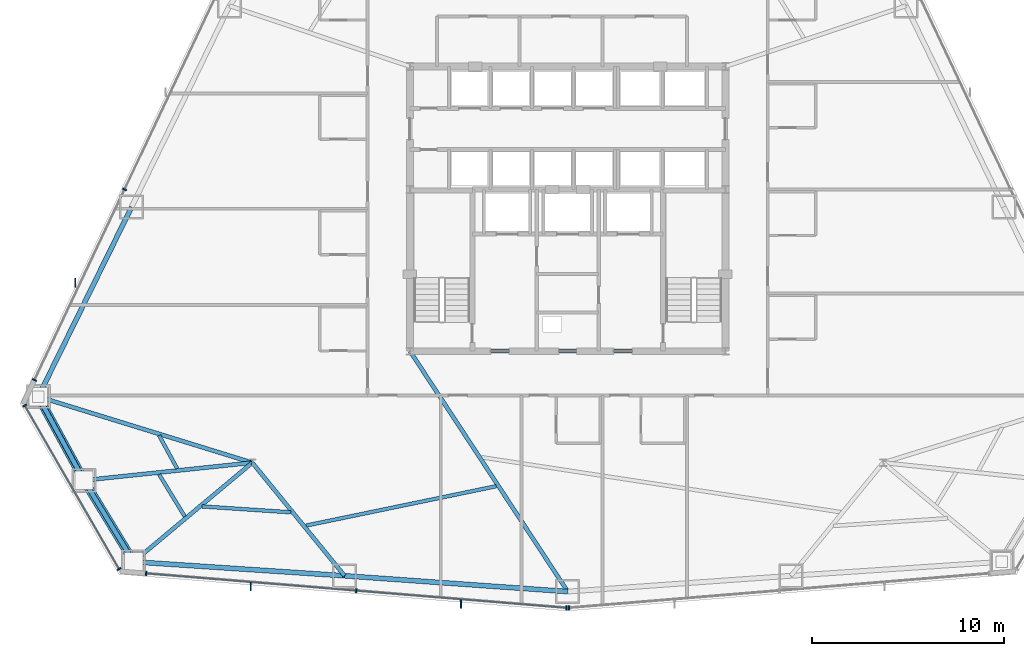
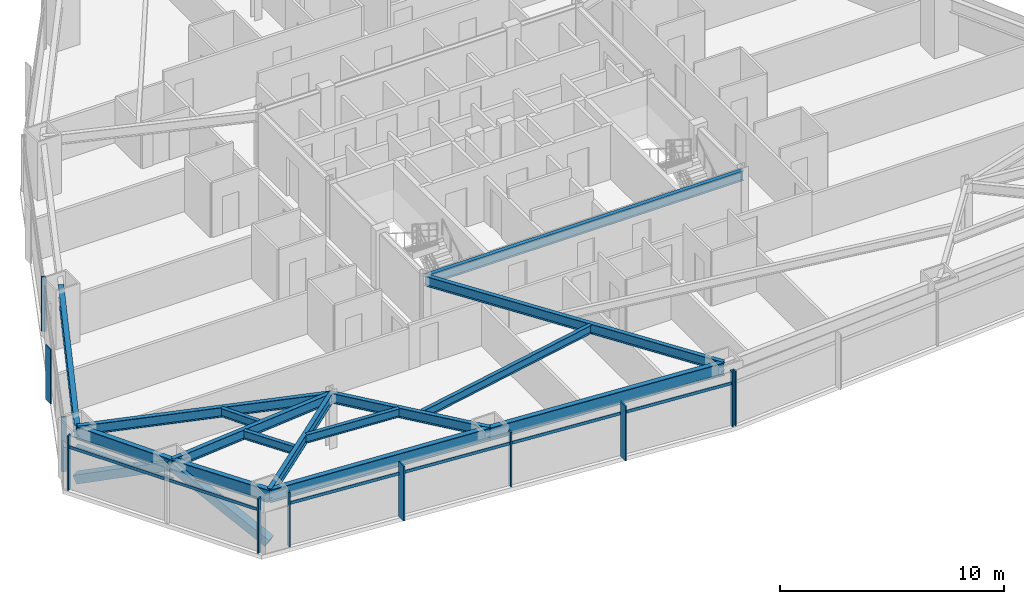
# One storey, part 4 of 13: 16 members, 15 beams, 4 elements without a shape of their own.
"""IFC4 building model written with IfcOpenShell, lengths in metres."""

from ifc_helpers import new_model, si_unit, direction, frame, origin, origin_2d, place, context, subcontext, project, spatial, rectangle, hollow_rectangle, hollow_circle, i_section, extrude, source, transform, mapped, material, layer, layer_set, material_profile, profile_set, type_object, type_shapes, element, aggregate, save


model = new_model("IFC4")

# Units and contexts
model_context = context("Model", 3, precision=1e-05, world=origin(), true_north=direction((0.0, 1.0)))
body_context = subcontext(model_context, "Body", "Model", "MODEL_VIEW")
ifc_project = project(units=[si_unit("LENGTHUNIT", "METRE"), si_unit("AREAUNIT", "SQUARE_METRE"), si_unit("VOLUMEUNIT", "CUBIC_METRE"), si_unit("PLANEANGLEUNIT", "RADIAN"), si_unit("MASSUNIT", "GRAM", prefix="KILO")], contexts=[model_context])

# Site, building, storey
site_placement = place(None, origin())
site = spatial("IfcSite", under=ifc_project, at=site_placement, CompositionType="ELEMENT")
building_placement = place(site_placement, origin())
building = spatial("IfcBuilding", under=site, at=building_placement, Name="Varakhsha Concourse Tower", CompositionType="ELEMENT")
storey_placement = place(building_placement, frame((0.0, 0.0, 46.39990234375)))
storey = spatial("IfcBuildingStorey", under=building, at=storey_placement, Name="L12", CompositionType="ELEMENT", Elevation=46.39990234375)

# Beams
ifc_material_1 = material(Name="Structural Steel ASTM A992 Grade 50", Category="steel")
ifc_material_profile_1 = material_profile(ifc_material_1, i_section(OverallWidth=0.19091796875, OverallDepth=0.45703125, WebThickness=0.009033203125, FlangeThickness=0.013916015625, at=origin_2d()), Name="W18X50")
ifc_profile_set_1 = profile_set([ifc_material_profile_1], Name="Structural Steel ASTM A992 Grade 50")
beam_type_1 = type_object("IfcBeamType", Name="BM-JST-W18X50", PredefinedType="JOIST", material=ifc_profile_set_1)
beam_1_placement = place(storey_placement, frame((18.75830078125, 12.01416015625, 2.751708984375), z_axis=(0.479375204498, -0.877610057664, 0.0), x_axis=(0.877610057664, 0.479375204498, 0.0)))
element("IfcBeam", 1, at=beam_1_placement, inside=storey, type_object=beam_type_1, Name="BM-TJST-L12-07", PredefinedType="JOIST", context=body_context, shape_type="SweptSolid", body=[
    extrude(i_section(OverallWidth=0.19091796875, OverallDepth=0.45703125, WebThickness=0.009033203125, FlangeThickness=0.013916015625, at=origin_2d()), origin(), (0.0, 0.0, 1.0), 1.961669921875),
])
beam_2_placement = place(storey_placement, frame((18.759033203125, 9.99169921875, 2.751708984375), z_axis=(0.520352766651, -0.853951402738, 0.0), x_axis=(0.853951402738, 0.520352766651, 0.0)))
element("IfcBeam", 2, at=beam_2_placement, inside=storey, type_object=beam_type_1, Name="BM-TJST-L12-08", PredefinedType="JOIST", context=body_context, shape_type="SweptSolid", body=[
    extrude(i_section(OverallWidth=0.19091796875, OverallDepth=0.45703125, WebThickness=0.009033203125, FlangeThickness=0.013916015625, at=origin_2d()), origin(), (0.0, 0.0, 1.0), 2.55712890625),
])
beam_3_placement = place(storey_placement, frame((20.99658203125, 8.3251953125, 2.751708984375), z_axis=(0.997818733044, -0.066013453077, 0.0), x_axis=(0.066013453077, 0.997818733044, 0.0)))
element("IfcBeam", 3, at=beam_3_placement, inside=storey, type_object=beam_type_1, Name="BM-TJST-L12-09", PredefinedType="JOIST", context=body_context, shape_type="SweptSolid", body=[
    extrude(i_section(OverallWidth=0.19091796875, OverallDepth=0.45703125, WebThickness=0.009033203125, FlangeThickness=0.013916015625, at=origin_2d()), origin(), (0.0, 0.0, 1.0), 4.615478515625),
])
beam_4_placement = place(storey_placement, frame((26.3955078125, 7.329833984375, 2.751708984375), z_axis=(0.97923229182, 0.202741506992, 0.0), x_axis=(-0.202741506992, 0.97923229182, 0.0)))
element("IfcBeam", 4, at=beam_4_placement, inside=storey, type_object=beam_type_1, Name="BM-TJST-L12-10", PredefinedType="JOIST", context=body_context, shape_type="SweptSolid", body=[
    extrude(i_section(OverallWidth=0.19091796875, OverallDepth=0.45703125, WebThickness=0.009033203125, FlangeThickness=0.013916015625, at=origin_2d()), origin(), (0.0, 0.0, 1.0), 10.098388671875),
])
ifc_material_profile_2 = material_profile(ifc_material_1, i_section(OverallWidth=0.2109375, OverallDepth=0.5390625, WebThickness=0.011962890625, FlangeThickness=0.01904296875, at=origin_2d()), Name="W21X73")
ifc_profile_set_2 = profile_set([ifc_material_profile_2], Name="Structural Steel ASTM A992 Grade 50")
beam_type_2 = type_object("IfcBeamType", Name="BM-RAD-W21X73", PredefinedType="BEAM", material=ifc_profile_set_2)
beam_5_placement = place(storey_placement, frame((31.800048828125, 16.39990234375, 2.710693359375), z_axis=(1.0, 0.0, 0.0), x_axis=(0.0, 1.0, 0.0)))
element("IfcBeam", 5, at=beam_5_placement, inside=storey, type_object=beam_type_2, Name="BM-TCORE-L12-CS", PredefinedType="BEAM", context=body_context, shape_type="SweptSolid", body=[
    extrude(i_section(OverallWidth=0.2109375, OverallDepth=0.5390625, WebThickness=0.011962890625, FlangeThickness=0.01904296875, at=origin_2d()), origin(), (0.0, 0.0, 1.0), 16.39990234375),
])
beam_6_placement = place(storey_placement, frame((23.60009765625, 10.60009765625, 2.710693359375), z_axis=(-0.955523369022, 0.294915396773, 0.0), x_axis=(-0.294915396773, -0.955523369022, 0.0)))
element("IfcBeam", 6, at=beam_6_placement, inside=storey, type_object=beam_type_2, Name="L12 Radial Floor Girder 07", PredefinedType="BEAM", context=body_context, shape_type="SweptSolid", body=[
    extrude(i_section(OverallWidth=0.2109375, OverallDepth=0.5390625, WebThickness=0.011962890625, FlangeThickness=0.01904296875, at=origin_2d()), origin(), (0.0, 0.0, 1.0), 11.641845703125),
])
beam_7_placement = place(storey_placement, frame((23.60009765625, 10.60009765625, 2.710693359375), z_axis=(-0.994529307573, -0.104457916778, 0.0), x_axis=(0.104457916778, -0.994529307573, 0.0)))
element("IfcBeam", 7, at=beam_7_placement, inside=storey, type_object=beam_type_2, Name="L12 Radial Floor Girder 08", PredefinedType="BEAM", context=body_context, shape_type="SweptSolid", body=[
    extrude(i_section(OverallWidth=0.2109375, OverallDepth=0.5390625, WebThickness=0.011962890625, FlangeThickness=0.01904296875, at=origin_2d()), origin(), (0.0, 0.0, 1.0), 8.794921875),
])
beam_8_placement = place(storey_placement, frame((23.60009765625, 10.60009765625, 2.710693359375), z_axis=(-0.767329066502, -0.641253540887, 0.0), x_axis=(0.641253540887, -0.767329066502, 0.0)))
element("IfcBeam", 8, at=beam_8_placement, inside=storey, type_object=beam_type_2, Name="L12 Radial Floor Girder 09", PredefinedType="BEAM", context=body_context, shape_type="SweptSolid", body=[
    extrude(i_section(OverallWidth=0.2109375, OverallDepth=0.5390625, WebThickness=0.011962890625, FlangeThickness=0.01904296875, at=origin_2d()), origin(), (0.0, 0.0, 1.0), 8.036376953125),
])
beam_9_placement = place(storey_placement, frame((23.60009765625, 10.60009765625, 2.710693359375), z_axis=(0.632361519262, -0.77467342084, 0.0), x_axis=(0.77467342084, 0.632361519262, 0.0)))
element("IfcBeam", 9, at=beam_9_placement, inside=storey, type_object=beam_type_2, Name="L12 Radial Floor Girder 10", PredefinedType="BEAM", context=body_context, shape_type="SweptSolid", body=[
    extrude(i_section(OverallWidth=0.2109375, OverallDepth=0.5390625, WebThickness=0.011962890625, FlangeThickness=0.01904296875, at=origin_2d()), origin(), (0.0, 0.0, 1.0), 7.589599609375),
])
beam_10_placement = place(storey_placement, frame((31.800048828125, 16.39990234375, 2.710693359375), z_axis=(0.548485569456, -0.836160020629, 0.0), x_axis=(0.836160020629, 0.548485569456, 0.0)))
element("IfcBeam", 10, at=beam_10_placement, inside=storey, type_object=beam_type_2, Name="L12 Radial Floor Girder 11", PredefinedType="BEAM", context=body_context, shape_type="SweptSolid", body=[
    extrude(i_section(OverallWidth=0.2109375, OverallDepth=0.5390625, WebThickness=0.011962890625, FlangeThickness=0.01904296875, at=origin_2d()), origin(), (0.0, 0.0, 1.0), 14.9501953125),
])
ifc_material_profile_3 = material_profile(ifc_material_1, i_section(OverallWidth=0.25390625, OverallDepth=0.701904296875, WebThickness=0.014892578125, FlangeThickness=0.028076171875, at=origin_2d()), Name="W27X129")
ifc_profile_set_3 = profile_set([ifc_material_profile_3], Name="Structural Steel ASTM A992 Grade 50")
beam_type_3 = type_object("IfcBeamType", Name="BM-SPAN-W27X129", PredefinedType="SPANDREL", material=ifc_profile_set_3)
beam_11_placement = place(storey_placement, frame((17.330078125, 23.893310546875, 2.629150390625), z_axis=(-0.441677973031, -0.897173655509, 0.0), x_axis=(0.897173655509, -0.441677973031, 0.0)))
element("IfcBeam", 11, at=beam_11_placement, inside=storey, type_object=beam_type_3, Name="BM-SPAN-L12-06", PredefinedType="SPANDREL", context=body_context, shape_type="SweptSolid", body=[
    extrude(i_section(OverallWidth=0.25390625, OverallDepth=0.701904296875, WebThickness=0.014892578125, FlangeThickness=0.028076171875, at=origin_2d()), origin(), (0.0, 0.0, 1.0), 10.989990234375),
])
beam_12_placement = place(storey_placement, frame((12.47607421875, 14.033447265625, 2.629150390625), z_axis=(0.479372903145, -0.877611314723, 0.0), x_axis=(0.877611314723, 0.479372903145, 0.0)))
element("IfcBeam", 12, at=beam_12_placement, inside=storey, type_object=beam_type_3, Name="BM-SPAN-L12-07", PredefinedType="SPANDREL", context=body_context, shape_type="SweptSolid", body=[
    extrude(i_section(OverallWidth=0.25390625, OverallDepth=0.701904296875, WebThickness=0.014892578125, FlangeThickness=0.028076171875, at=origin_2d()), origin(), (0.0, 0.0, 1.0), 4.958984375),
])
beam_13_placement = place(storey_placement, frame((14.853271484375, 9.681396484375, 2.629150390625), z_axis=(0.520348294869, -0.85395412759, 0.0), x_axis=(0.85395412759, 0.520348294869, 0.0)))
element("IfcBeam", 13, at=beam_13_placement, inside=storey, type_object=beam_type_3, Name="BM-SPAN-L12-08", PredefinedType="SPANDREL", context=body_context, shape_type="SweptSolid", body=[
    extrude(i_section(OverallWidth=0.25390625, OverallDepth=0.701904296875, WebThickness=0.014892578125, FlangeThickness=0.028076171875, at=origin_2d()), origin(), (0.0, 0.0, 1.0), 4.958740234375),
])
beam_14_placement = place(storey_placement, frame((17.43359375, 5.44677734375, 2.629150390625), z_axis=(0.997815134751, -0.06606782017, 0.0), x_axis=(0.06606782017, 0.997815134751, 0.0)))
element("IfcBeam", 14, at=beam_14_placement, inside=storey, type_object=beam_type_3, Name="BM-SPAN-L12-09", PredefinedType="SPANDREL", context=body_context, shape_type="SweptSolid", body=[
    extrude(i_section(OverallWidth=0.25390625, OverallDepth=0.701904296875, WebThickness=0.014892578125, FlangeThickness=0.028076171875, at=origin_2d()), origin(), (0.0, 0.0, 1.0), 10.98974609375),
])
beam_15_placement = place(storey_placement, frame((28.3994140625, 4.720703125, 2.629150390625), z_axis=(0.997501780615, -0.070641331168, 0.0), x_axis=(0.070641331168, 0.997501780615, 0.0)))
element("IfcBeam", 15, at=beam_15_placement, inside=storey, type_object=beam_type_3, Name="BM-SPAN-L12-10", PredefinedType="SPANDREL", context=body_context, shape_type="SweptSolid", body=[
    extrude(i_section(OverallWidth=0.25390625, OverallDepth=0.701904296875, WebThickness=0.014892578125, FlangeThickness=0.028076171875, at=origin_2d()), origin(), (0.0, 0.0, 1.0), 11.629638671875),
])

# Members
ifc_material_2 = material(Name="Structural Steel ASTM A500 Grade C", Category="steel")
ifc_material_profile_4 = material_profile(ifc_material_2, hollow_rectangle(XDim=0.449951171875, YDim=0.449951171875, WallThickness=0.01904296875, at=origin_2d()), Name="HSS 450x450x19")
ifc_profile_set_4 = profile_set([ifc_material_profile_4], Name="Structural Steel ASTM A500 Grade C")
member_type_1 = type_object("IfcMemberType", Name="MB-TUBE-HSS450", PredefinedType="BRACE", material=ifc_profile_set_4)
shared_shape_1 = source(origin(), body_context, "Body", "SweptSolid", [
    extrude(hollow_rectangle(XDim=0.449951171875, YDim=0.449951171875, WallThickness=0.01904296875, at=origin_2d()), origin(), (0.0, 0.0, 1.0), 5.580810546875),
])
member_1_placement = place(storey_placement, frame((12.47607421875, 14.033447265625, 0.1201171875), z_axis=(0.425960053824, -0.77982581077, 0.458726211811), x_axis=(0.877611314723, 0.479372903145, 0.0)))
element("IfcMember", 16, at=member_1_placement, inside=storey, type_object=member_type_1, Name="L12 Wind-Corner Tube Brace B03", PredefinedType="BRACE", context=body_context, shape_type="MappedRepresentation", body=[
    mapped(shared_shape_1, transform((0.0, 0.0, 0.0), scale=1.0)),
])
shared_shape_2 = source(origin(), body_context, "Body", "SweptSolid", [
    extrude(hollow_rectangle(XDim=0.449951171875, YDim=0.449951171875, WallThickness=0.01904296875, at=origin_2d()), origin(), (0.0, 0.0, 1.0), 5.58056640625),
])
type_shapes(member_type_1, [shared_shape_1, shared_shape_2])
member_2_placement = place(storey_placement, frame((17.43359375, 5.44677734375, 0.1201171875), z_axis=(-0.462367199705, 0.758800177773, 0.458736158209), x_axis=(-0.85395412759, -0.520348294869, 0.0)))
element("IfcMember", 17, at=member_2_placement, inside=storey, type_object=member_type_1, Name="L12 Wind-Corner Tube Brace B04", PredefinedType="BRACE", context=body_context, shape_type="MappedRepresentation", body=[
    mapped(shared_shape_2, transform((0.0, 0.0, 0.0), scale=1.0)),
])
ifc_material_profile_5 = material_profile(ifc_material_2, hollow_circle(Radius=0.136474609375, WallThickness=0.011962890625, at=origin_2d()), Name="CHS 273x12")
ifc_profile_set_5 = profile_set([ifc_material_profile_5], Name="Structural Steel ASTM A500 Grade C")
member_type_2 = type_object("IfcMemberType", Name="MB-WIND-CHS273", PredefinedType="COLLAR", material=ifc_profile_set_5)
shared_shape_3 = source(origin(), body_context, "Body", "SweptSolid", [
    extrude(hollow_circle(Radius=0.136474609375, WallThickness=0.011962890625, at=origin_2d()), origin(), (0.0, 0.0, 1.0), 4.958984375),
])
type_shapes(member_type_2, [shared_shape_3])
member_3_placement = place(storey_placement, frame((12.47607421875, 14.033447265625, 1.800048828125), z_axis=(0.479372903145, -0.877611314723, 0.0), x_axis=(0.877611314723, 0.479372903145, 0.0)))
element("IfcMember", 18, at=member_3_placement, inside=storey, type_object=member_type_2, Name="L12 Wind-Corner Collar Tie 2", PredefinedType="COLLAR", context=body_context, shape_type="MappedRepresentation", body=[
    mapped(shared_shape_3, transform((0.0, 0.0, 0.0), scale=1.0)),
])

# Curtain wall, members
ifc_material_3 = material(Name="Anodised Bronze Architectural Aluminium AA 6063-T6", Category="aluminium")
ifc_layer = layer(ifc_material_3, 0.219970703125, Name="CW-SYS-02")
ifc_layer_set = layer_set([ifc_layer], Name="Anodised Bronze Architectural Aluminium AA 6063-T6")
curtain_wall_type = type_object("IfcCurtainWallType", Name="CW-SYS-02", PredefinedType="NOTDEFINED", material=ifc_layer_set)
curtain_wall_1_placement = place(storey_placement, origin())
curtain_wall_1 = element("IfcCurtainWall", 19, at=curtain_wall_1_placement, inside=storey, type_object=curtain_wall_type, Name="L12 Crystal Curtain Wall F3", PredefinedType="NOTDEFINED")
ifc_material_profile_6 = material_profile(ifc_material_3, rectangle(XDim=0.074951171875, YDim=0.219970703125, at=origin_2d()), Name="CWM-220X75")
ifc_profile_set_6 = profile_set([ifc_material_profile_6], Name="Anodised Bronze Architectural Aluminium AA 6063-T6")
member_type_3 = type_object("IfcMemberType", Name="CWM-220X75", PredefinedType="MULLION", material=ifc_profile_set_6)
shared_shape_4 = source(origin(), body_context, "Body", "SweptSolid", [
    extrude(rectangle(XDim=0.074951171875, YDim=0.219970703125, at=origin_2d()), origin(), (0.0, 0.0, 1.0), 2.97998046875),
])
type_shapes(member_type_3, [shared_shape_4])
member_4_placement = place(storey_placement, frame((12.278564453125, 14.898193359375, 0.0), z_axis=(0.0, 0.0, 1.0), x_axis=(0.427604003332, 0.903966158844, 0.0)))
member_4 = element("IfcMember", 20, at=member_4_placement, type_object=member_type_3, Name="CW-L12-F3 Mullion 00", PredefinedType="MULLION", context=body_context, shape_type="MappedRepresentation", body=[
    mapped(shared_shape_4, transform((0.0, 0.0, 0.0), scale=1.0)),
])
member_5_placement = place(storey_placement, frame((16.9658203125, 24.806884765625, 0.0), z_axis=(0.0, 0.0, 1.0), x_axis=(0.427604003332, 0.903966158844, 0.0)))
member_5 = element("IfcMember", 21, at=member_5_placement, type_object=member_type_3, Name="CW-L12-F3 Mullion 01", PredefinedType="MULLION", context=body_context, shape_type="MappedRepresentation", body=[
    mapped(shared_shape_4, transform((0.0, 0.0, 0.0), scale=1.0)),
])

curtain_wall_2_placement = place(storey_placement, origin())
curtain_wall_2 = element("IfcCurtainWall", 22, at=curtain_wall_2_placement, inside=storey, type_object=curtain_wall_type, Name="L12 Chamfer Curtain Wall F4", PredefinedType="NOTDEFINED")
member_6_placement = place(storey_placement, frame((16.683837890625, 5.070556640625, 0.0), z_axis=(0.0, 0.0, 1.0), x_axis=(-0.49999395399, 0.866028894422, 0.0)))
member_6 = element("IfcMember", 23, at=member_6_placement, type_object=member_type_3, Name="CW-L12-F4 Mullion 00", PredefinedType="MULLION", context=body_context, shape_type="MappedRepresentation", body=[
    mapped(shared_shape_4, transform((0.0, 0.0, 0.0), scale=1.0)),
])
member_7_placement = place(storey_placement, frame((11.775390625, 13.572509765625, 0.0), z_axis=(0.0, 0.0, 1.0), x_axis=(-0.49999395399, 0.866028894422, 0.0)))
member_7 = element("IfcMember", 24, at=member_7_placement, type_object=member_type_3, Name="CW-L12-F4 Mullion 01", PredefinedType="MULLION", context=body_context, shape_type="MappedRepresentation", body=[
    mapped(shared_shape_4, transform((0.0, 0.0, 0.0), scale=1.0)),
])

curtain_wall_3_placement = place(storey_placement, origin())
curtain_wall_3 = element("IfcCurtainWall", 25, at=curtain_wall_3_placement, inside=storey, type_object=curtain_wall_type, Name="L12 Crystal Curtain Wall F5", PredefinedType="NOTDEFINED")
member_8_placement = place(storey_placement, frame((39.933349609375, 3.05322265625, 0.0), z_axis=(0.0, 0.0, 1.0), x_axis=(-0.996659944452, 0.081663670777, 0.0)))
member_8 = element("IfcMember", 26, at=member_8_placement, type_object=member_type_3, Name="CW-L12-F5 Mullion 00", PredefinedType="MULLION", context=body_context, shape_type="MappedRepresentation", body=[
    mapped(shared_shape_4, transform((0.0, 0.0, 0.0), scale=1.0)),
])
member_9_placement = place(storey_placement, frame((29.008544921875, 3.9482421875, 0.0), z_axis=(0.0, 0.0, 1.0), x_axis=(-0.996659944452, 0.081663670777, 0.0)))
member_9 = element("IfcMember", 27, at=member_9_placement, type_object=member_type_3, Name="CW-L12-F5 Mullion 01", PredefinedType="MULLION", context=body_context, shape_type="MappedRepresentation", body=[
    mapped(shared_shape_4, transform((0.0, 0.0, 0.0), scale=1.0)),
])
member_10_placement = place(storey_placement, frame((18.08349609375, 4.843505859375, 0.0), z_axis=(0.0, 0.0, 1.0), x_axis=(-0.996659944452, 0.081663670777, 0.0)))
member_10 = element("IfcMember", 28, at=member_10_placement, type_object=member_type_3, Name="CW-L12-F5 Mullion 02", PredefinedType="MULLION", context=body_context, shape_type="MappedRepresentation", body=[
    mapped(shared_shape_4, transform((0.0, 0.0, 0.0), scale=1.0)),
])

# Curtain wall, member
curtain_wall_4_placement = place(storey_placement, origin())
curtain_wall_4 = element("IfcCurtainWall", 29, at=curtain_wall_4_placement, inside=storey, type_object=curtain_wall_type, Name="L12 Crystal Curtain Wall F6", PredefinedType="NOTDEFINED")
member_11_placement = place(storey_placement, frame((40.066650390625, 3.05322265625, 0.0), z_axis=(0.0, 0.0, 1.0), x_axis=(-0.996659944452, -0.081663670777, 0.0)))
member_11 = element("IfcMember", 30, at=member_11_placement, type_object=member_type_3, Name="CW-L12-F6 Mullion 02", PredefinedType="MULLION", context=body_context, shape_type="MappedRepresentation", body=[
    mapped(shared_shape_4, transform((0.0, 0.0, 0.0), scale=1.0)),
])
aggregate(curtain_wall_4, [member_11])

# Member
ifc_material_profile_7 = material_profile(ifc_material_3, rectangle(XDim=0.06494140625, YDim=0.449951171875, at=origin_2d()), Name="FIN-BRZ-450")
ifc_profile_set_7 = profile_set([ifc_material_profile_7], Name="Anodised Bronze Architectural Aluminium AA 6063-T6")
member_type_4 = type_object("IfcMemberType", Name="FIN-BRZ-450", PredefinedType="USERDEFINED", material=ifc_profile_set_7)
shared_shape_5 = source(origin(), body_context, "Body", "SweptSolid", [
    extrude(rectangle(XDim=0.06494140625, YDim=0.449951171875, at=origin_2d()), origin(), (0.0, 0.0, 1.0), 2.97998046875),
])
type_shapes(member_type_4, [shared_shape_5])
member_12_placement = place(storey_placement, frame((14.4052734375, 19.955078125, 0.0), z_axis=(0.0, 0.0, 1.0), x_axis=(1.0, 0.0, 0.0)))
member_12 = element("IfcMember", 31, at=member_12_placement, type_object=member_type_4, Name="L12 Anodised Bronze Solar Fin F3-1", ObjectType="SOLAR FIN", PredefinedType="USERDEFINED", context=body_context, shape_type="MappedRepresentation", body=[
    mapped(shared_shape_5, transform((0.0, 0.0, 0.0), scale=1.0)),
])

aggregate(curtain_wall_1, [member_4, member_5, member_12])

member_13_placement = place(storey_placement, frame((34.451416015625, 3.26171875, 0.0), z_axis=(0.0, 0.0, 1.0), x_axis=(1.0, 0.0, 0.0)))
member_13 = element("IfcMember", 32, at=member_13_placement, type_object=member_type_4, Name="L12 Anodised Bronze Solar Fin F5-1", ObjectType="SOLAR FIN", PredefinedType="USERDEFINED", context=body_context, shape_type="MappedRepresentation", body=[
    mapped(shared_shape_5, transform((0.0, 0.0, 0.0), scale=1.0)),
])

member_14_placement = place(storey_placement, frame((23.5263671875, 4.15673828125, 0.0), z_axis=(0.0, 0.0, 1.0), x_axis=(1.0, 0.0, 0.0)))
member_14 = element("IfcMember", 33, at=member_14_placement, type_object=member_type_4, Name="L12 Anodised Bronze Solar Fin F5-2", ObjectType="SOLAR FIN", PredefinedType="USERDEFINED", context=body_context, shape_type="MappedRepresentation", body=[
    mapped(shared_shape_5, transform((0.0, 0.0, 0.0), scale=1.0)),
])

ifc_material_profile_8 = material_profile(ifc_material_3, rectangle(XDim=0.06494140625, YDim=0.159912109375, at=origin_2d()), Name="CWT-160X65")
ifc_profile_set_8 = profile_set([ifc_material_profile_8], Name="Anodised Bronze Architectural Aluminium AA 6063-T6")
member_type_5 = type_object("IfcMemberType", Name="CWT-160X65", PredefinedType="USERDEFINED", material=ifc_profile_set_8)
shared_shape_6 = source(origin(), body_context, "Body", "SweptSolid", [
    extrude(rectangle(XDim=0.06494140625, YDim=0.159912109375, at=origin_2d()), origin(), (0.0, 0.0, 1.0), 21.923095703125),
])
member_15_placement = place(storey_placement, frame((39.933349609375, 3.05322265625, 2.330078125), z_axis=(-0.996660077382, 0.08166204842, 0.0), x_axis=(-0.08166204842, -0.996660077382, 0.0)))
member_15 = element("IfcMember", 34, at=member_15_placement, type_object=member_type_5, Name="CW-L12-F5 Transom 01", ObjectType="TRANSOM", PredefinedType="USERDEFINED", context=body_context, shape_type="MappedRepresentation", body=[
    mapped(shared_shape_6, transform((0.0, 0.0, 0.0), scale=1.0)),
])

aggregate(curtain_wall_3, [member_8, member_9, member_10, member_15, member_13, member_14])

shared_shape_7 = source(origin(), body_context, "Body", "SweptSolid", [
    extrude(rectangle(XDim=0.06494140625, YDim=0.159912109375, at=origin_2d()), origin(), (0.0, 0.0, 1.0), 9.817138671875),
])
type_shapes(member_type_5, [shared_shape_6, shared_shape_7])
member_16_placement = place(storey_placement, frame((16.683837890625, 5.070556640625, 2.330078125), z_axis=(-0.499987955211, 0.866032357735, 0.0), x_axis=(-0.866032357735, -0.499987955211, 0.0)))
member_16 = element("IfcMember", 35, at=member_16_placement, type_object=member_type_5, Name="CW-L12-F4 Transom 01", ObjectType="TRANSOM", PredefinedType="USERDEFINED", context=body_context, shape_type="MappedRepresentation", body=[
    mapped(shared_shape_7, transform((0.0, 0.0, 0.0), scale=1.0)),
])

aggregate(curtain_wall_2, [member_6, member_7, member_16])

save(model, "model.ifc")
